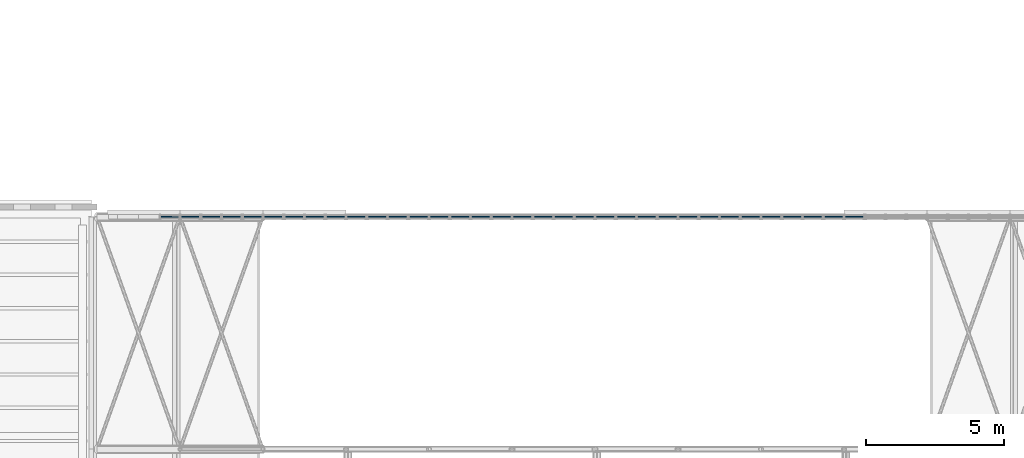
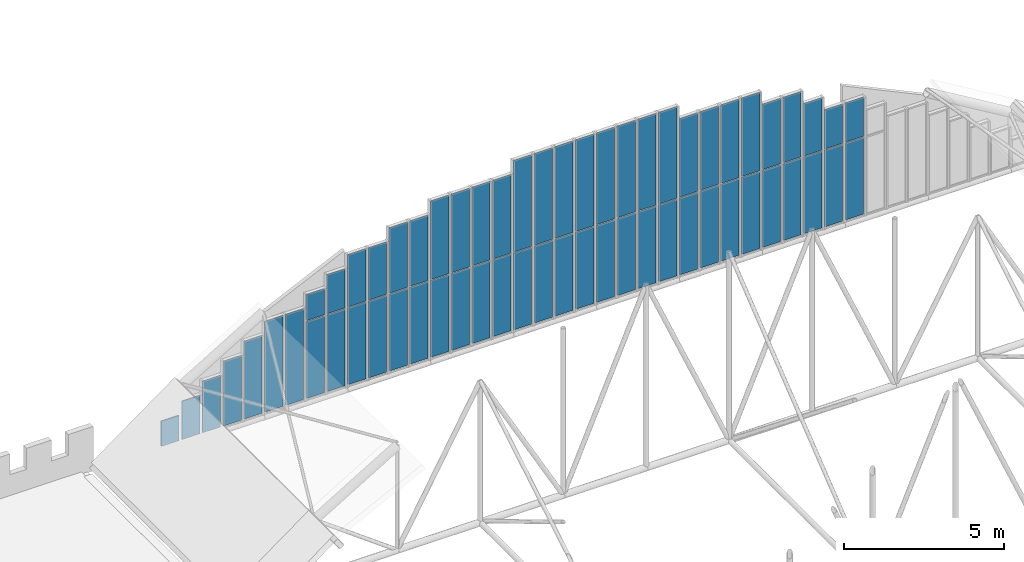
# One storey, part 99 of 153: 61 plates, 34 elements without a shape of their own.
"""IFC4 building model written with IfcOpenShell, lengths in metres."""

from ifc_helpers import new_model, si_unit, direction, frame, origin, origin_2d, place, context, subcontext, project, spatial, rectangle, extrude, material, layer, layer_set, type_object, element, aggregate, save


model = new_model("IFC4")

# Units and contexts
model_context = context("Model", 3, precision=1e-05, world=origin(), true_north=direction((0.0, 1.0)))
body_context = subcontext(model_context, "Body", "Model", "MODEL_VIEW")
ifc_project = project(units=[si_unit("LENGTHUNIT", "METRE"), si_unit("AREAUNIT", "SQUARE_METRE"), si_unit("VOLUMEUNIT", "CUBIC_METRE"), si_unit("PLANEANGLEUNIT", "RADIAN"), si_unit("MASSUNIT", "GRAM", prefix="KILO")], contexts=[model_context])

# Site, building, storey
site_placement = place(None, origin())
site = spatial("IfcSite", under=ifc_project, at=site_placement, CompositionType="ELEMENT")
building_placement = place(site_placement, origin())
building = spatial("IfcBuilding", under=site, at=building_placement, Name="Baradari Gate Terminus", CompositionType="ELEMENT")
storey_placement = place(building_placement, frame((0.0, 0.0, 11.699951171875)))
storey = spatial("IfcBuildingStorey", under=building, at=storey_placement, Name="L02", CompositionType="ELEMENT", Elevation=11.699951171875)

# Curtain wall, plate
ifc_material_1 = material(Name="Aluminium 6063-T6", Category="aluminium")
curtain_wall_type = type_object("IfcCurtainWallType", Name="Curtain wall CW-60 hall gable glazing", PredefinedType="NOTDEFINED", material=ifc_material_1)
curtain_wall_1_placement = place(storey_placement, origin())
curtain_wall_1 = element("IfcCurtainWall", 1, at=curtain_wall_1_placement, inside=storey, type_object=curtain_wall_type, Name="Hall gable glazing N4", PredefinedType="NOTDEFINED")
ifc_material_2 = material(Name="Insulating glass unit", Category="glass")
ifc_layer = layer(ifc_material_2, 0.0439453125)
ifc_layer_set = layer_set([ifc_layer], Name="Insulating glass unit")
plate_type = type_object("IfcPlateType", Name="Curtain wall glazing unit CP-60 44", PredefinedType="CURTAIN_PANEL", material=ifc_layer_set)
plate_1_placement = place(storey_placement, frame((137.625, 107.39990234375, 0.28466796875), z_axis=(0.0, 0.0, 1.0), x_axis=(1.0, 0.0, 0.0)))
plate_1 = element("IfcPlate", 2, at=plate_1_placement, type_object=plate_type, Name="CW-60 panel 1.1", PredefinedType="CURTAIN_PANEL", context=body_context, shape_type="SweptSolid", body=[
    extrude(rectangle(XDim=0.64990234375, YDim=0.0439453125, at=origin_2d()), origin(), (0.0, 0.0, 1.0), 0.965576171875),
])
aggregate(curtain_wall_1, [plate_1])

curtain_wall_2_placement = place(storey_placement, origin())
curtain_wall_2 = element("IfcCurtainWall", 3, at=curtain_wall_2_placement, inside=storey, type_object=curtain_wall_type, Name="Hall gable glazing N5", PredefinedType="NOTDEFINED")
plate_2_placement = place(storey_placement, frame((138.375, 107.39990234375, 0.28466796875), z_axis=(0.0, 0.0, 1.0), x_axis=(1.0, 0.0, 0.0)))
plate_2 = element("IfcPlate", 4, at=plate_2_placement, type_object=plate_type, Name="CW-60 panel 1.1", PredefinedType="CURTAIN_PANEL", context=body_context, shape_type="SweptSolid", body=[
    extrude(rectangle(XDim=0.64990234375, YDim=0.0439453125, at=origin_2d()), origin(), (0.0, 0.0, 1.0), 1.465576171875),
])
aggregate(curtain_wall_2, [plate_2])

curtain_wall_3_placement = place(storey_placement, origin())
curtain_wall_3 = element("IfcCurtainWall", 5, at=curtain_wall_3_placement, inside=storey, type_object=curtain_wall_type, Name="Hall gable glazing N6", PredefinedType="NOTDEFINED")
plate_3_placement = place(storey_placement, frame((139.125, 107.39990234375, 0.28466796875), z_axis=(0.0, 0.0, 1.0), x_axis=(1.0, 0.0, 0.0)))
plate_3 = element("IfcPlate", 6, at=plate_3_placement, type_object=plate_type, Name="CW-60 panel 1.1", PredefinedType="CURTAIN_PANEL", context=body_context, shape_type="SweptSolid", body=[
    extrude(rectangle(XDim=0.64990234375, YDim=0.0439453125, at=origin_2d()), origin(), (0.0, 0.0, 1.0), 1.965576171875),
])
aggregate(curtain_wall_3, [plate_3])

curtain_wall_4_placement = place(storey_placement, origin())
curtain_wall_4 = element("IfcCurtainWall", 7, at=curtain_wall_4_placement, inside=storey, type_object=curtain_wall_type, Name="Hall gable glazing N7", PredefinedType="NOTDEFINED")
plate_4_placement = place(storey_placement, frame((139.875, 107.39990234375, 0.28466796875), z_axis=(0.0, 0.0, 1.0), x_axis=(1.0, 0.0, 0.0)))
plate_4 = element("IfcPlate", 8, at=plate_4_placement, type_object=plate_type, Name="CW-60 panel 1.1", PredefinedType="CURTAIN_PANEL", context=body_context, shape_type="SweptSolid", body=[
    extrude(rectangle(XDim=0.64990234375, YDim=0.0439453125, at=origin_2d()), origin(), (0.0, 0.0, 1.0), 2.465576171875),
])
aggregate(curtain_wall_4, [plate_4])

curtain_wall_5_placement = place(storey_placement, origin())
curtain_wall_5 = element("IfcCurtainWall", 9, at=curtain_wall_5_placement, inside=storey, type_object=curtain_wall_type, Name="Hall gable glazing N8", PredefinedType="NOTDEFINED")
plate_5_placement = place(storey_placement, frame((140.625, 107.39990234375, 0.28466796875), z_axis=(0.0, 0.0, 1.0), x_axis=(1.0, 0.0, 0.0)))
plate_5 = element("IfcPlate", 10, at=plate_5_placement, type_object=plate_type, Name="CW-60 panel 1.1", PredefinedType="CURTAIN_PANEL", context=body_context, shape_type="SweptSolid", body=[
    extrude(rectangle(XDim=0.64990234375, YDim=0.0439453125, at=origin_2d()), origin(), (0.0, 0.0, 1.0), 2.965576171875),
])
aggregate(curtain_wall_5, [plate_5])

curtain_wall_6_placement = place(storey_placement, origin())
curtain_wall_6 = element("IfcCurtainWall", 11, at=curtain_wall_6_placement, inside=storey, type_object=curtain_wall_type, Name="Hall gable glazing N9", PredefinedType="NOTDEFINED")
plate_6_placement = place(storey_placement, frame((141.375, 107.39990234375, 0.28466796875), z_axis=(0.0, 0.0, 1.0), x_axis=(1.0, 0.0, 0.0)))
plate_6 = element("IfcPlate", 12, at=plate_6_placement, type_object=plate_type, Name="CW-60 panel 1.1", PredefinedType="CURTAIN_PANEL", context=body_context, shape_type="SweptSolid", body=[
    extrude(rectangle(XDim=0.64990234375, YDim=0.0439453125, at=origin_2d()), origin(), (0.0, 0.0, 1.0), 3.465576171875),
])
aggregate(curtain_wall_6, [plate_6])

curtain_wall_7_placement = place(storey_placement, origin())
curtain_wall_7 = element("IfcCurtainWall", 13, at=curtain_wall_7_placement, inside=storey, type_object=curtain_wall_type, Name="Hall gable glazing N10", PredefinedType="NOTDEFINED")
plate_7_placement = place(storey_placement, frame((142.125, 107.39990234375, 0.28466796875), z_axis=(0.0, 0.0, 1.0), x_axis=(1.0, 0.0, 0.0)))
plate_7 = element("IfcPlate", 14, at=plate_7_placement, type_object=plate_type, Name="CW-60 panel 1.1", PredefinedType="CURTAIN_PANEL", context=body_context, shape_type="SweptSolid", body=[
    extrude(rectangle(XDim=0.64990234375, YDim=0.0439453125, at=origin_2d()), origin(), (0.0, 0.0, 1.0), 3.465576171875),
])
aggregate(curtain_wall_7, [plate_7])

# Curtain wall, plates
curtain_wall_8_placement = place(storey_placement, origin())
curtain_wall_8 = element("IfcCurtainWall", 15, at=curtain_wall_8_placement, inside=storey, type_object=curtain_wall_type, Name="Hall gable glazing N11", PredefinedType="NOTDEFINED")
plate_8_placement = place(storey_placement, frame((142.875, 107.39990234375, 0.28466796875), z_axis=(0.0, 0.0, 1.0), x_axis=(1.0, 0.0, 0.0)))
plate_8 = element("IfcPlate", 16, at=plate_8_placement, type_object=plate_type, Name="CW-60 panel 1.1", PredefinedType="CURTAIN_PANEL", context=body_context, shape_type="SweptSolid", body=[
    extrude(rectangle(XDim=0.64990234375, YDim=0.0439453125, at=origin_2d()), origin(), (0.0, 0.0, 1.0), 2.925048828125),
])
plate_9_placement = place(storey_placement, frame((142.875, 107.39990234375, 3.259765625), z_axis=(0.0, 0.0, 1.0), x_axis=(1.0, 0.0, 0.0)))
plate_9 = element("IfcPlate", 17, at=plate_9_placement, type_object=plate_type, Name="CW-60 panel 1.2", PredefinedType="CURTAIN_PANEL", context=body_context, shape_type="SweptSolid", body=[
    extrude(rectangle(XDim=0.64990234375, YDim=0.0439453125, at=origin_2d()), origin(), (0.0, 0.0, 1.0), 0.990478515625),
])
aggregate(curtain_wall_8, [plate_8, plate_9])

curtain_wall_9_placement = place(storey_placement, origin())
curtain_wall_9 = element("IfcCurtainWall", 18, at=curtain_wall_9_placement, inside=storey, type_object=curtain_wall_type, Name="Hall gable glazing N12", PredefinedType="NOTDEFINED")
plate_10_placement = place(storey_placement, frame((143.625, 107.39990234375, 0.28466796875), z_axis=(0.0, 0.0, 1.0), x_axis=(1.0, 0.0, 0.0)))
plate_10 = element("IfcPlate", 19, at=plate_10_placement, type_object=plate_type, Name="CW-60 panel 1.1", PredefinedType="CURTAIN_PANEL", context=body_context, shape_type="SweptSolid", body=[
    extrude(rectangle(XDim=0.64990234375, YDim=0.0439453125, at=origin_2d()), origin(), (0.0, 0.0, 1.0), 2.925048828125),
])
plate_11_placement = place(storey_placement, frame((143.625, 107.39990234375, 3.259765625), z_axis=(0.0, 0.0, 1.0), x_axis=(1.0, 0.0, 0.0)))
plate_11 = element("IfcPlate", 20, at=plate_11_placement, type_object=plate_type, Name="CW-60 panel 1.2", PredefinedType="CURTAIN_PANEL", context=body_context, shape_type="SweptSolid", body=[
    extrude(rectangle(XDim=0.64990234375, YDim=0.0439453125, at=origin_2d()), origin(), (0.0, 0.0, 1.0), 1.490478515625),
])
aggregate(curtain_wall_9, [plate_10, plate_11])

curtain_wall_10_placement = place(storey_placement, origin())
curtain_wall_10 = element("IfcCurtainWall", 21, at=curtain_wall_10_placement, inside=storey, type_object=curtain_wall_type, Name="Hall gable glazing N13", PredefinedType="NOTDEFINED")
plate_12_placement = place(storey_placement, frame((144.375, 107.39990234375, 0.28466796875), z_axis=(0.0, 0.0, 1.0), x_axis=(1.0, 0.0, 0.0)))
plate_12 = element("IfcPlate", 22, at=plate_12_placement, type_object=plate_type, Name="CW-60 panel 1.1", PredefinedType="CURTAIN_PANEL", context=body_context, shape_type="SweptSolid", body=[
    extrude(rectangle(XDim=0.64990234375, YDim=0.0439453125, at=origin_2d()), origin(), (0.0, 0.0, 1.0), 2.925048828125),
])
plate_13_placement = place(storey_placement, frame((144.375, 107.39990234375, 3.259765625), z_axis=(0.0, 0.0, 1.0), x_axis=(1.0, 0.0, 0.0)))
plate_13 = element("IfcPlate", 23, at=plate_13_placement, type_object=plate_type, Name="CW-60 panel 1.2", PredefinedType="CURTAIN_PANEL", context=body_context, shape_type="SweptSolid", body=[
    extrude(rectangle(XDim=0.64990234375, YDim=0.0439453125, at=origin_2d()), origin(), (0.0, 0.0, 1.0), 1.990478515625),
])
aggregate(curtain_wall_10, [plate_12, plate_13])

curtain_wall_11_placement = place(storey_placement, origin())
curtain_wall_11 = element("IfcCurtainWall", 24, at=curtain_wall_11_placement, inside=storey, type_object=curtain_wall_type, Name="Hall gable glazing N14", PredefinedType="NOTDEFINED")
plate_14_placement = place(storey_placement, frame((145.125, 107.39990234375, 0.28466796875), z_axis=(0.0, 0.0, 1.0), x_axis=(1.0, 0.0, 0.0)))
plate_14 = element("IfcPlate", 25, at=plate_14_placement, type_object=plate_type, Name="CW-60 panel 1.1", PredefinedType="CURTAIN_PANEL", context=body_context, shape_type="SweptSolid", body=[
    extrude(rectangle(XDim=0.64990234375, YDim=0.0439453125, at=origin_2d()), origin(), (0.0, 0.0, 1.0), 2.925048828125),
])
plate_15_placement = place(storey_placement, frame((145.125, 107.39990234375, 3.259765625), z_axis=(0.0, 0.0, 1.0), x_axis=(1.0, 0.0, 0.0)))
plate_15 = element("IfcPlate", 26, at=plate_15_placement, type_object=plate_type, Name="CW-60 panel 1.2", PredefinedType="CURTAIN_PANEL", context=body_context, shape_type="SweptSolid", body=[
    extrude(rectangle(XDim=0.64990234375, YDim=0.0439453125, at=origin_2d()), origin(), (0.0, 0.0, 1.0), 1.990478515625),
])
aggregate(curtain_wall_11, [plate_14, plate_15])

curtain_wall_12_placement = place(storey_placement, origin())
curtain_wall_12 = element("IfcCurtainWall", 27, at=curtain_wall_12_placement, inside=storey, type_object=curtain_wall_type, Name="Hall gable glazing N15", PredefinedType="NOTDEFINED")
plate_16_placement = place(storey_placement, frame((145.875, 107.39990234375, 0.28466796875), z_axis=(0.0, 0.0, 1.0), x_axis=(1.0, 0.0, 0.0)))
plate_16 = element("IfcPlate", 28, at=plate_16_placement, type_object=plate_type, Name="CW-60 panel 1.1", PredefinedType="CURTAIN_PANEL", context=body_context, shape_type="SweptSolid", body=[
    extrude(rectangle(XDim=0.64990234375, YDim=0.0439453125, at=origin_2d()), origin(), (0.0, 0.0, 1.0), 2.925048828125),
])
plate_17_placement = place(storey_placement, frame((145.875, 107.39990234375, 3.259765625), z_axis=(0.0, 0.0, 1.0), x_axis=(1.0, 0.0, 0.0)))
plate_17 = element("IfcPlate", 29, at=plate_17_placement, type_object=plate_type, Name="CW-60 panel 1.2", PredefinedType="CURTAIN_PANEL", context=body_context, shape_type="SweptSolid", body=[
    extrude(rectangle(XDim=0.64990234375, YDim=0.0439453125, at=origin_2d()), origin(), (0.0, 0.0, 1.0), 2.490478515625),
])
aggregate(curtain_wall_12, [plate_16, plate_17])

curtain_wall_13_placement = place(storey_placement, origin())
curtain_wall_13 = element("IfcCurtainWall", 30, at=curtain_wall_13_placement, inside=storey, type_object=curtain_wall_type, Name="Hall gable glazing N16", PredefinedType="NOTDEFINED")
plate_18_placement = place(storey_placement, frame((146.625, 107.39990234375, 0.28466796875), z_axis=(0.0, 0.0, 1.0), x_axis=(1.0, 0.0, 0.0)))
plate_18 = element("IfcPlate", 31, at=plate_18_placement, type_object=plate_type, Name="CW-60 panel 1.1", PredefinedType="CURTAIN_PANEL", context=body_context, shape_type="SweptSolid", body=[
    extrude(rectangle(XDim=0.64990234375, YDim=0.0439453125, at=origin_2d()), origin(), (0.0, 0.0, 1.0), 2.925048828125),
])
plate_19_placement = place(storey_placement, frame((146.625, 107.39990234375, 3.259765625), z_axis=(0.0, 0.0, 1.0), x_axis=(1.0, 0.0, 0.0)))
plate_19 = element("IfcPlate", 32, at=plate_19_placement, type_object=plate_type, Name="CW-60 panel 1.2", PredefinedType="CURTAIN_PANEL", context=body_context, shape_type="SweptSolid", body=[
    extrude(rectangle(XDim=0.64990234375, YDim=0.0439453125, at=origin_2d()), origin(), (0.0, 0.0, 1.0), 2.490478515625),
])
aggregate(curtain_wall_13, [plate_18, plate_19])

curtain_wall_14_placement = place(storey_placement, origin())
curtain_wall_14 = element("IfcCurtainWall", 33, at=curtain_wall_14_placement, inside=storey, type_object=curtain_wall_type, Name="Hall gable glazing N17", PredefinedType="NOTDEFINED")
plate_20_placement = place(storey_placement, frame((147.375, 107.39990234375, 0.28466796875), z_axis=(0.0, 0.0, 1.0), x_axis=(1.0, 0.0, 0.0)))
plate_20 = element("IfcPlate", 34, at=plate_20_placement, type_object=plate_type, Name="CW-60 panel 1.1", PredefinedType="CURTAIN_PANEL", context=body_context, shape_type="SweptSolid", body=[
    extrude(rectangle(XDim=0.64990234375, YDim=0.0439453125, at=origin_2d()), origin(), (0.0, 0.0, 1.0), 2.925048828125),
])
plate_21_placement = place(storey_placement, frame((147.375, 107.39990234375, 3.259765625), z_axis=(0.0, 0.0, 1.0), x_axis=(1.0, 0.0, 0.0)))
plate_21 = element("IfcPlate", 35, at=plate_21_placement, type_object=plate_type, Name="CW-60 panel 1.2", PredefinedType="CURTAIN_PANEL", context=body_context, shape_type="SweptSolid", body=[
    extrude(rectangle(XDim=0.64990234375, YDim=0.0439453125, at=origin_2d()), origin(), (0.0, 0.0, 1.0), 2.990478515625),
])
aggregate(curtain_wall_14, [plate_20, plate_21])

curtain_wall_15_placement = place(storey_placement, origin())
curtain_wall_15 = element("IfcCurtainWall", 36, at=curtain_wall_15_placement, inside=storey, type_object=curtain_wall_type, Name="Hall gable glazing N18", PredefinedType="NOTDEFINED")
plate_22_placement = place(storey_placement, frame((148.125, 107.39990234375, 0.28466796875), z_axis=(0.0, 0.0, 1.0), x_axis=(1.0, 0.0, 0.0)))
plate_22 = element("IfcPlate", 37, at=plate_22_placement, type_object=plate_type, Name="CW-60 panel 1.1", PredefinedType="CURTAIN_PANEL", context=body_context, shape_type="SweptSolid", body=[
    extrude(rectangle(XDim=0.64990234375, YDim=0.0439453125, at=origin_2d()), origin(), (0.0, 0.0, 1.0), 2.925048828125),
])
plate_23_placement = place(storey_placement, frame((148.125, 107.39990234375, 3.259765625), z_axis=(0.0, 0.0, 1.0), x_axis=(1.0, 0.0, 0.0)))
plate_23 = element("IfcPlate", 38, at=plate_23_placement, type_object=plate_type, Name="CW-60 panel 1.2", PredefinedType="CURTAIN_PANEL", context=body_context, shape_type="SweptSolid", body=[
    extrude(rectangle(XDim=0.64990234375, YDim=0.0439453125, at=origin_2d()), origin(), (0.0, 0.0, 1.0), 2.990478515625),
])
aggregate(curtain_wall_15, [plate_22, plate_23])

curtain_wall_16_placement = place(storey_placement, origin())
curtain_wall_16 = element("IfcCurtainWall", 39, at=curtain_wall_16_placement, inside=storey, type_object=curtain_wall_type, Name="Hall gable glazing N19", PredefinedType="NOTDEFINED")
plate_24_placement = place(storey_placement, frame((148.875, 107.39990234375, 0.28466796875), z_axis=(0.0, 0.0, 1.0), x_axis=(1.0, 0.0, 0.0)))
plate_24 = element("IfcPlate", 40, at=plate_24_placement, type_object=plate_type, Name="CW-60 panel 1.1", PredefinedType="CURTAIN_PANEL", context=body_context, shape_type="SweptSolid", body=[
    extrude(rectangle(XDim=0.64990234375, YDim=0.0439453125, at=origin_2d()), origin(), (0.0, 0.0, 1.0), 2.925048828125),
])
plate_25_placement = place(storey_placement, frame((148.875, 107.39990234375, 3.259765625), z_axis=(0.0, 0.0, 1.0), x_axis=(1.0, 0.0, 0.0)))
plate_25 = element("IfcPlate", 41, at=plate_25_placement, type_object=plate_type, Name="CW-60 panel 1.2", PredefinedType="CURTAIN_PANEL", context=body_context, shape_type="SweptSolid", body=[
    extrude(rectangle(XDim=0.64990234375, YDim=0.0439453125, at=origin_2d()), origin(), (0.0, 0.0, 1.0), 2.990478515625),
])
aggregate(curtain_wall_16, [plate_24, plate_25])

curtain_wall_17_placement = place(storey_placement, origin())
curtain_wall_17 = element("IfcCurtainWall", 42, at=curtain_wall_17_placement, inside=storey, type_object=curtain_wall_type, Name="Hall gable glazing N20", PredefinedType="NOTDEFINED")
plate_26_placement = place(storey_placement, frame((149.625, 107.39990234375, 0.28466796875), z_axis=(0.0, 0.0, 1.0), x_axis=(1.0, 0.0, 0.0)))
plate_26 = element("IfcPlate", 43, at=plate_26_placement, type_object=plate_type, Name="CW-60 panel 1.1", PredefinedType="CURTAIN_PANEL", context=body_context, shape_type="SweptSolid", body=[
    extrude(rectangle(XDim=0.64990234375, YDim=0.0439453125, at=origin_2d()), origin(), (0.0, 0.0, 1.0), 2.925048828125),
])
plate_27_placement = place(storey_placement, frame((149.625, 107.39990234375, 3.259765625), z_axis=(0.0, 0.0, 1.0), x_axis=(1.0, 0.0, 0.0)))
plate_27 = element("IfcPlate", 44, at=plate_27_placement, type_object=plate_type, Name="CW-60 panel 1.2", PredefinedType="CURTAIN_PANEL", context=body_context, shape_type="SweptSolid", body=[
    extrude(rectangle(XDim=0.64990234375, YDim=0.0439453125, at=origin_2d()), origin(), (0.0, 0.0, 1.0), 2.990478515625),
])
aggregate(curtain_wall_17, [plate_26, plate_27])

curtain_wall_18_placement = place(storey_placement, origin())
curtain_wall_18 = element("IfcCurtainWall", 45, at=curtain_wall_18_placement, inside=storey, type_object=curtain_wall_type, Name="Hall gable glazing N21", PredefinedType="NOTDEFINED")
plate_28_placement = place(storey_placement, frame((150.375, 107.39990234375, 0.28466796875), z_axis=(0.0, 0.0, 1.0), x_axis=(1.0, 0.0, 0.0)))
plate_28 = element("IfcPlate", 46, at=plate_28_placement, type_object=plate_type, Name="CW-60 panel 1.1", PredefinedType="CURTAIN_PANEL", context=body_context, shape_type="SweptSolid", body=[
    extrude(rectangle(XDim=0.64990234375, YDim=0.0439453125, at=origin_2d()), origin(), (0.0, 0.0, 1.0), 2.925048828125),
])
plate_29_placement = place(storey_placement, frame((150.375, 107.39990234375, 3.259765625), z_axis=(0.0, 0.0, 1.0), x_axis=(1.0, 0.0, 0.0)))
plate_29 = element("IfcPlate", 47, at=plate_29_placement, type_object=plate_type, Name="CW-60 panel 1.2", PredefinedType="CURTAIN_PANEL", context=body_context, shape_type="SweptSolid", body=[
    extrude(rectangle(XDim=0.64990234375, YDim=0.0439453125, at=origin_2d()), origin(), (0.0, 0.0, 1.0), 3.490478515625),
])
aggregate(curtain_wall_18, [plate_28, plate_29])

curtain_wall_19_placement = place(storey_placement, origin())
curtain_wall_19 = element("IfcCurtainWall", 48, at=curtain_wall_19_placement, inside=storey, type_object=curtain_wall_type, Name="Hall gable glazing N22", PredefinedType="NOTDEFINED")
plate_30_placement = place(storey_placement, frame((151.125, 107.39990234375, 0.28466796875), z_axis=(0.0, 0.0, 1.0), x_axis=(1.0, 0.0, 0.0)))
plate_30 = element("IfcPlate", 49, at=plate_30_placement, type_object=plate_type, Name="CW-60 panel 1.1", PredefinedType="CURTAIN_PANEL", context=body_context, shape_type="SweptSolid", body=[
    extrude(rectangle(XDim=0.64990234375, YDim=0.0439453125, at=origin_2d()), origin(), (0.0, 0.0, 1.0), 2.925048828125),
])
plate_31_placement = place(storey_placement, frame((151.125, 107.39990234375, 3.259765625), z_axis=(0.0, 0.0, 1.0), x_axis=(1.0, 0.0, 0.0)))
plate_31 = element("IfcPlate", 50, at=plate_31_placement, type_object=plate_type, Name="CW-60 panel 1.2", PredefinedType="CURTAIN_PANEL", context=body_context, shape_type="SweptSolid", body=[
    extrude(rectangle(XDim=0.64990234375, YDim=0.0439453125, at=origin_2d()), origin(), (0.0, 0.0, 1.0), 3.490478515625),
])
aggregate(curtain_wall_19, [plate_30, plate_31])

curtain_wall_20_placement = place(storey_placement, origin())
curtain_wall_20 = element("IfcCurtainWall", 51, at=curtain_wall_20_placement, inside=storey, type_object=curtain_wall_type, Name="Hall gable glazing N23", PredefinedType="NOTDEFINED")
plate_32_placement = place(storey_placement, frame((151.875, 107.39990234375, 0.28466796875), z_axis=(0.0, 0.0, 1.0), x_axis=(1.0, 0.0, 0.0)))
plate_32 = element("IfcPlate", 52, at=plate_32_placement, type_object=plate_type, Name="CW-60 panel 1.1", PredefinedType="CURTAIN_PANEL", context=body_context, shape_type="SweptSolid", body=[
    extrude(rectangle(XDim=0.64990234375, YDim=0.0439453125, at=origin_2d()), origin(), (0.0, 0.0, 1.0), 2.925048828125),
])
plate_33_placement = place(storey_placement, frame((151.875, 107.39990234375, 3.259765625), z_axis=(0.0, 0.0, 1.0), x_axis=(1.0, 0.0, 0.0)))
plate_33 = element("IfcPlate", 53, at=plate_33_placement, type_object=plate_type, Name="CW-60 panel 1.2", PredefinedType="CURTAIN_PANEL", context=body_context, shape_type="SweptSolid", body=[
    extrude(rectangle(XDim=0.64990234375, YDim=0.0439453125, at=origin_2d()), origin(), (0.0, 0.0, 1.0), 3.490478515625),
])
aggregate(curtain_wall_20, [plate_32, plate_33])

curtain_wall_21_placement = place(storey_placement, origin())
curtain_wall_21 = element("IfcCurtainWall", 54, at=curtain_wall_21_placement, inside=storey, type_object=curtain_wall_type, Name="Hall gable glazing N24", PredefinedType="NOTDEFINED")
plate_34_placement = place(storey_placement, frame((152.625, 107.39990234375, 0.28466796875), z_axis=(0.0, 0.0, 1.0), x_axis=(1.0, 0.0, 0.0)))
plate_34 = element("IfcPlate", 55, at=plate_34_placement, type_object=plate_type, Name="CW-60 panel 1.1", PredefinedType="CURTAIN_PANEL", context=body_context, shape_type="SweptSolid", body=[
    extrude(rectangle(XDim=0.64990234375, YDim=0.0439453125, at=origin_2d()), origin(), (0.0, 0.0, 1.0), 2.925048828125),
])
plate_35_placement = place(storey_placement, frame((152.625, 107.39990234375, 3.259765625), z_axis=(0.0, 0.0, 1.0), x_axis=(1.0, 0.0, 0.0)))
plate_35 = element("IfcPlate", 56, at=plate_35_placement, type_object=plate_type, Name="CW-60 panel 1.2", PredefinedType="CURTAIN_PANEL", context=body_context, shape_type="SweptSolid", body=[
    extrude(rectangle(XDim=0.64990234375, YDim=0.0439453125, at=origin_2d()), origin(), (0.0, 0.0, 1.0), 3.490478515625),
])
aggregate(curtain_wall_21, [plate_34, plate_35])

curtain_wall_22_placement = place(storey_placement, origin())
curtain_wall_22 = element("IfcCurtainWall", 57, at=curtain_wall_22_placement, inside=storey, type_object=curtain_wall_type, Name="Hall gable glazing N25", PredefinedType="NOTDEFINED")
plate_36_placement = place(storey_placement, frame((153.375, 107.39990234375, 0.28466796875), z_axis=(0.0, 0.0, 1.0), x_axis=(1.0, 0.0, 0.0)))
plate_36 = element("IfcPlate", 58, at=plate_36_placement, type_object=plate_type, Name="CW-60 panel 1.1", PredefinedType="CURTAIN_PANEL", context=body_context, shape_type="SweptSolid", body=[
    extrude(rectangle(XDim=0.64990234375, YDim=0.0439453125, at=origin_2d()), origin(), (0.0, 0.0, 1.0), 2.925048828125),
])
plate_37_placement = place(storey_placement, frame((153.375, 107.39990234375, 3.259765625), z_axis=(0.0, 0.0, 1.0), x_axis=(1.0, 0.0, 0.0)))
plate_37 = element("IfcPlate", 59, at=plate_37_placement, type_object=plate_type, Name="CW-60 panel 1.2", PredefinedType="CURTAIN_PANEL", context=body_context, shape_type="SweptSolid", body=[
    extrude(rectangle(XDim=0.64990234375, YDim=0.0439453125, at=origin_2d()), origin(), (0.0, 0.0, 1.0), 3.490478515625),
])
aggregate(curtain_wall_22, [plate_36, plate_37])

curtain_wall_23_placement = place(storey_placement, origin())
curtain_wall_23 = element("IfcCurtainWall", 60, at=curtain_wall_23_placement, inside=storey, type_object=curtain_wall_type, Name="Hall gable glazing N26", PredefinedType="NOTDEFINED")
plate_38_placement = place(storey_placement, frame((154.125, 107.39990234375, 0.28466796875), z_axis=(0.0, 0.0, 1.0), x_axis=(1.0, 0.0, 0.0)))
plate_38 = element("IfcPlate", 61, at=plate_38_placement, type_object=plate_type, Name="CW-60 panel 1.1", PredefinedType="CURTAIN_PANEL", context=body_context, shape_type="SweptSolid", body=[
    extrude(rectangle(XDim=0.64990234375, YDim=0.0439453125, at=origin_2d()), origin(), (0.0, 0.0, 1.0), 2.925048828125),
])
plate_39_placement = place(storey_placement, frame((154.125, 107.39990234375, 3.259765625), z_axis=(0.0, 0.0, 1.0), x_axis=(1.0, 0.0, 0.0)))
plate_39 = element("IfcPlate", 62, at=plate_39_placement, type_object=plate_type, Name="CW-60 panel 1.2", PredefinedType="CURTAIN_PANEL", context=body_context, shape_type="SweptSolid", body=[
    extrude(rectangle(XDim=0.64990234375, YDim=0.0439453125, at=origin_2d()), origin(), (0.0, 0.0, 1.0), 3.490478515625),
])
aggregate(curtain_wall_23, [plate_38, plate_39])

curtain_wall_24_placement = place(storey_placement, origin())
curtain_wall_24 = element("IfcCurtainWall", 63, at=curtain_wall_24_placement, inside=storey, type_object=curtain_wall_type, Name="Hall gable glazing N27", PredefinedType="NOTDEFINED")
plate_40_placement = place(storey_placement, frame((154.875, 107.39990234375, 0.28466796875), z_axis=(0.0, 0.0, 1.0), x_axis=(1.0, 0.0, 0.0)))
plate_40 = element("IfcPlate", 64, at=plate_40_placement, type_object=plate_type, Name="CW-60 panel 1.1", PredefinedType="CURTAIN_PANEL", context=body_context, shape_type="SweptSolid", body=[
    extrude(rectangle(XDim=0.64990234375, YDim=0.0439453125, at=origin_2d()), origin(), (0.0, 0.0, 1.0), 2.925048828125),
])
plate_41_placement = place(storey_placement, frame((154.875, 107.39990234375, 3.259765625), z_axis=(0.0, 0.0, 1.0), x_axis=(1.0, 0.0, 0.0)))
plate_41 = element("IfcPlate", 65, at=plate_41_placement, type_object=plate_type, Name="CW-60 panel 1.2", PredefinedType="CURTAIN_PANEL", context=body_context, shape_type="SweptSolid", body=[
    extrude(rectangle(XDim=0.64990234375, YDim=0.0439453125, at=origin_2d()), origin(), (0.0, 0.0, 1.0), 3.490478515625),
])
aggregate(curtain_wall_24, [plate_40, plate_41])

curtain_wall_25_placement = place(storey_placement, origin())
curtain_wall_25 = element("IfcCurtainWall", 66, at=curtain_wall_25_placement, inside=storey, type_object=curtain_wall_type, Name="Hall gable glazing N28", PredefinedType="NOTDEFINED")
plate_42_placement = place(storey_placement, frame((155.625, 107.39990234375, 0.28466796875), z_axis=(0.0, 0.0, 1.0), x_axis=(1.0, 0.0, 0.0)))
plate_42 = element("IfcPlate", 67, at=plate_42_placement, type_object=plate_type, Name="CW-60 panel 1.1", PredefinedType="CURTAIN_PANEL", context=body_context, shape_type="SweptSolid", body=[
    extrude(rectangle(XDim=0.64990234375, YDim=0.0439453125, at=origin_2d()), origin(), (0.0, 0.0, 1.0), 2.925048828125),
])
plate_43_placement = place(storey_placement, frame((155.625, 107.39990234375, 3.259765625), z_axis=(0.0, 0.0, 1.0), x_axis=(1.0, 0.0, 0.0)))
plate_43 = element("IfcPlate", 68, at=plate_43_placement, type_object=plate_type, Name="CW-60 panel 1.2", PredefinedType="CURTAIN_PANEL", context=body_context, shape_type="SweptSolid", body=[
    extrude(rectangle(XDim=0.64990234375, YDim=0.0439453125, at=origin_2d()), origin(), (0.0, 0.0, 1.0), 3.490478515625),
])
aggregate(curtain_wall_25, [plate_42, plate_43])

curtain_wall_26_placement = place(storey_placement, origin())
curtain_wall_26 = element("IfcCurtainWall", 69, at=curtain_wall_26_placement, inside=storey, type_object=curtain_wall_type, Name="Hall gable glazing N29", PredefinedType="NOTDEFINED")
plate_44_placement = place(storey_placement, frame((156.375, 107.39990234375, 0.28466796875), z_axis=(0.0, 0.0, 1.0), x_axis=(1.0, 0.0, 0.0)))
plate_44 = element("IfcPlate", 70, at=plate_44_placement, type_object=plate_type, Name="CW-60 panel 1.1", PredefinedType="CURTAIN_PANEL", context=body_context, shape_type="SweptSolid", body=[
    extrude(rectangle(XDim=0.64990234375, YDim=0.0439453125, at=origin_2d()), origin(), (0.0, 0.0, 1.0), 2.925048828125),
])
plate_45_placement = place(storey_placement, frame((156.375, 107.39990234375, 3.259765625), z_axis=(0.0, 0.0, 1.0), x_axis=(1.0, 0.0, 0.0)))
plate_45 = element("IfcPlate", 71, at=plate_45_placement, type_object=plate_type, Name="CW-60 panel 1.2", PredefinedType="CURTAIN_PANEL", context=body_context, shape_type="SweptSolid", body=[
    extrude(rectangle(XDim=0.64990234375, YDim=0.0439453125, at=origin_2d()), origin(), (0.0, 0.0, 1.0), 2.990478515625),
])
aggregate(curtain_wall_26, [plate_44, plate_45])

curtain_wall_27_placement = place(storey_placement, origin())
curtain_wall_27 = element("IfcCurtainWall", 72, at=curtain_wall_27_placement, inside=storey, type_object=curtain_wall_type, Name="Hall gable glazing N30", PredefinedType="NOTDEFINED")
plate_46_placement = place(storey_placement, frame((157.125, 107.39990234375, 0.28466796875), z_axis=(0.0, 0.0, 1.0), x_axis=(1.0, 0.0, 0.0)))
plate_46 = element("IfcPlate", 73, at=plate_46_placement, type_object=plate_type, Name="CW-60 panel 1.1", PredefinedType="CURTAIN_PANEL", context=body_context, shape_type="SweptSolid", body=[
    extrude(rectangle(XDim=0.64990234375, YDim=0.0439453125, at=origin_2d()), origin(), (0.0, 0.0, 1.0), 2.925048828125),
])
plate_47_placement = place(storey_placement, frame((157.125, 107.39990234375, 3.259765625), z_axis=(0.0, 0.0, 1.0), x_axis=(1.0, 0.0, 0.0)))
plate_47 = element("IfcPlate", 74, at=plate_47_placement, type_object=plate_type, Name="CW-60 panel 1.2", PredefinedType="CURTAIN_PANEL", context=body_context, shape_type="SweptSolid", body=[
    extrude(rectangle(XDim=0.64990234375, YDim=0.0439453125, at=origin_2d()), origin(), (0.0, 0.0, 1.0), 2.990478515625),
])
aggregate(curtain_wall_27, [plate_46, plate_47])

curtain_wall_28_placement = place(storey_placement, origin())
curtain_wall_28 = element("IfcCurtainWall", 75, at=curtain_wall_28_placement, inside=storey, type_object=curtain_wall_type, Name="Hall gable glazing N31", PredefinedType="NOTDEFINED")
plate_48_placement = place(storey_placement, frame((157.875, 107.39990234375, 0.28466796875), z_axis=(0.0, 0.0, 1.0), x_axis=(1.0, 0.0, 0.0)))
plate_48 = element("IfcPlate", 76, at=plate_48_placement, type_object=plate_type, Name="CW-60 panel 1.1", PredefinedType="CURTAIN_PANEL", context=body_context, shape_type="SweptSolid", body=[
    extrude(rectangle(XDim=0.64990234375, YDim=0.0439453125, at=origin_2d()), origin(), (0.0, 0.0, 1.0), 2.925048828125),
])
plate_49_placement = place(storey_placement, frame((157.875, 107.39990234375, 3.259765625), z_axis=(0.0, 0.0, 1.0), x_axis=(1.0, 0.0, 0.0)))
plate_49 = element("IfcPlate", 77, at=plate_49_placement, type_object=plate_type, Name="CW-60 panel 1.2", PredefinedType="CURTAIN_PANEL", context=body_context, shape_type="SweptSolid", body=[
    extrude(rectangle(XDim=0.64990234375, YDim=0.0439453125, at=origin_2d()), origin(), (0.0, 0.0, 1.0), 2.990478515625),
])
aggregate(curtain_wall_28, [plate_48, plate_49])

curtain_wall_29_placement = place(storey_placement, origin())
curtain_wall_29 = element("IfcCurtainWall", 78, at=curtain_wall_29_placement, inside=storey, type_object=curtain_wall_type, Name="Hall gable glazing N32", PredefinedType="NOTDEFINED")
plate_50_placement = place(storey_placement, frame((158.625, 107.39990234375, 0.28466796875), z_axis=(0.0, 0.0, 1.0), x_axis=(1.0, 0.0, 0.0)))
plate_50 = element("IfcPlate", 79, at=plate_50_placement, type_object=plate_type, Name="CW-60 panel 1.1", PredefinedType="CURTAIN_PANEL", context=body_context, shape_type="SweptSolid", body=[
    extrude(rectangle(XDim=0.64990234375, YDim=0.0439453125, at=origin_2d()), origin(), (0.0, 0.0, 1.0), 2.925048828125),
])
plate_51_placement = place(storey_placement, frame((158.625, 107.39990234375, 3.259765625), z_axis=(0.0, 0.0, 1.0), x_axis=(1.0, 0.0, 0.0)))
plate_51 = element("IfcPlate", 80, at=plate_51_placement, type_object=plate_type, Name="CW-60 panel 1.2", PredefinedType="CURTAIN_PANEL", context=body_context, shape_type="SweptSolid", body=[
    extrude(rectangle(XDim=0.64990234375, YDim=0.0439453125, at=origin_2d()), origin(), (0.0, 0.0, 1.0), 2.990478515625),
])
aggregate(curtain_wall_29, [plate_50, plate_51])

curtain_wall_30_placement = place(storey_placement, origin())
curtain_wall_30 = element("IfcCurtainWall", 81, at=curtain_wall_30_placement, inside=storey, type_object=curtain_wall_type, Name="Hall gable glazing N33", PredefinedType="NOTDEFINED")
plate_52_placement = place(storey_placement, frame((159.375, 107.39990234375, 0.28466796875), z_axis=(0.0, 0.0, 1.0), x_axis=(1.0, 0.0, 0.0)))
plate_52 = element("IfcPlate", 82, at=plate_52_placement, type_object=plate_type, Name="CW-60 panel 1.1", PredefinedType="CURTAIN_PANEL", context=body_context, shape_type="SweptSolid", body=[
    extrude(rectangle(XDim=0.64990234375, YDim=0.0439453125, at=origin_2d()), origin(), (0.0, 0.0, 1.0), 2.925048828125),
])
plate_53_placement = place(storey_placement, frame((159.375, 107.39990234375, 3.259765625), z_axis=(0.0, 0.0, 1.0), x_axis=(1.0, 0.0, 0.0)))
plate_53 = element("IfcPlate", 83, at=plate_53_placement, type_object=plate_type, Name="CW-60 panel 1.2", PredefinedType="CURTAIN_PANEL", context=body_context, shape_type="SweptSolid", body=[
    extrude(rectangle(XDim=0.64990234375, YDim=0.0439453125, at=origin_2d()), origin(), (0.0, 0.0, 1.0), 2.490478515625),
])
aggregate(curtain_wall_30, [plate_52, plate_53])

curtain_wall_31_placement = place(storey_placement, origin())
curtain_wall_31 = element("IfcCurtainWall", 84, at=curtain_wall_31_placement, inside=storey, type_object=curtain_wall_type, Name="Hall gable glazing N34", PredefinedType="NOTDEFINED")
plate_54_placement = place(storey_placement, frame((160.125, 107.39990234375, 0.28466796875), z_axis=(0.0, 0.0, 1.0), x_axis=(1.0, 0.0, 0.0)))
plate_54 = element("IfcPlate", 85, at=plate_54_placement, type_object=plate_type, Name="CW-60 panel 1.1", PredefinedType="CURTAIN_PANEL", context=body_context, shape_type="SweptSolid", body=[
    extrude(rectangle(XDim=0.64990234375, YDim=0.0439453125, at=origin_2d()), origin(), (0.0, 0.0, 1.0), 2.925048828125),
])
plate_55_placement = place(storey_placement, frame((160.125, 107.39990234375, 3.259765625), z_axis=(0.0, 0.0, 1.0), x_axis=(1.0, 0.0, 0.0)))
plate_55 = element("IfcPlate", 86, at=plate_55_placement, type_object=plate_type, Name="CW-60 panel 1.2", PredefinedType="CURTAIN_PANEL", context=body_context, shape_type="SweptSolid", body=[
    extrude(rectangle(XDim=0.64990234375, YDim=0.0439453125, at=origin_2d()), origin(), (0.0, 0.0, 1.0), 2.490478515625),
])
aggregate(curtain_wall_31, [plate_54, plate_55])

curtain_wall_32_placement = place(storey_placement, origin())
curtain_wall_32 = element("IfcCurtainWall", 87, at=curtain_wall_32_placement, inside=storey, type_object=curtain_wall_type, Name="Hall gable glazing N35", PredefinedType="NOTDEFINED")
plate_56_placement = place(storey_placement, frame((160.875, 107.39990234375, 0.28466796875), z_axis=(0.0, 0.0, 1.0), x_axis=(1.0, 0.0, 0.0)))
plate_56 = element("IfcPlate", 88, at=plate_56_placement, type_object=plate_type, Name="CW-60 panel 1.1", PredefinedType="CURTAIN_PANEL", context=body_context, shape_type="SweptSolid", body=[
    extrude(rectangle(XDim=0.64990234375, YDim=0.0439453125, at=origin_2d()), origin(), (0.0, 0.0, 1.0), 2.925048828125),
])
plate_57_placement = place(storey_placement, frame((160.875, 107.39990234375, 3.259765625), z_axis=(0.0, 0.0, 1.0), x_axis=(1.0, 0.0, 0.0)))
plate_57 = element("IfcPlate", 89, at=plate_57_placement, type_object=plate_type, Name="CW-60 panel 1.2", PredefinedType="CURTAIN_PANEL", context=body_context, shape_type="SweptSolid", body=[
    extrude(rectangle(XDim=0.64990234375, YDim=0.0439453125, at=origin_2d()), origin(), (0.0, 0.0, 1.0), 1.990478515625),
])
aggregate(curtain_wall_32, [plate_56, plate_57])

curtain_wall_33_placement = place(storey_placement, origin())
curtain_wall_33 = element("IfcCurtainWall", 90, at=curtain_wall_33_placement, inside=storey, type_object=curtain_wall_type, Name="Hall gable glazing N36", PredefinedType="NOTDEFINED")
plate_58_placement = place(storey_placement, frame((161.625, 107.39990234375, 0.28466796875), z_axis=(0.0, 0.0, 1.0), x_axis=(1.0, 0.0, 0.0)))
plate_58 = element("IfcPlate", 91, at=plate_58_placement, type_object=plate_type, Name="CW-60 panel 1.1", PredefinedType="CURTAIN_PANEL", context=body_context, shape_type="SweptSolid", body=[
    extrude(rectangle(XDim=0.64990234375, YDim=0.0439453125, at=origin_2d()), origin(), (0.0, 0.0, 1.0), 2.925048828125),
])
plate_59_placement = place(storey_placement, frame((161.625, 107.39990234375, 3.259765625), z_axis=(0.0, 0.0, 1.0), x_axis=(1.0, 0.0, 0.0)))
plate_59 = element("IfcPlate", 92, at=plate_59_placement, type_object=plate_type, Name="CW-60 panel 1.2", PredefinedType="CURTAIN_PANEL", context=body_context, shape_type="SweptSolid", body=[
    extrude(rectangle(XDim=0.64990234375, YDim=0.0439453125, at=origin_2d()), origin(), (0.0, 0.0, 1.0), 1.490478515625),
])
aggregate(curtain_wall_33, [plate_58, plate_59])

curtain_wall_34_placement = place(storey_placement, origin())
curtain_wall_34 = element("IfcCurtainWall", 93, at=curtain_wall_34_placement, inside=storey, type_object=curtain_wall_type, Name="Hall gable glazing N37", PredefinedType="NOTDEFINED")
plate_60_placement = place(storey_placement, frame((162.375, 107.39990234375, 0.28466796875), z_axis=(0.0, 0.0, 1.0), x_axis=(1.0, 0.0, 0.0)))
plate_60 = element("IfcPlate", 94, at=plate_60_placement, type_object=plate_type, Name="CW-60 panel 1.1", PredefinedType="CURTAIN_PANEL", context=body_context, shape_type="SweptSolid", body=[
    extrude(rectangle(XDim=0.64990234375, YDim=0.0439453125, at=origin_2d()), origin(), (0.0, 0.0, 1.0), 2.925048828125),
])
plate_61_placement = place(storey_placement, frame((162.375, 107.39990234375, 3.259765625), z_axis=(0.0, 0.0, 1.0), x_axis=(1.0, 0.0, 0.0)))
plate_61 = element("IfcPlate", 95, at=plate_61_placement, type_object=plate_type, Name="CW-60 panel 1.2", PredefinedType="CURTAIN_PANEL", context=body_context, shape_type="SweptSolid", body=[
    extrude(rectangle(XDim=0.64990234375, YDim=0.0439453125, at=origin_2d()), origin(), (0.0, 0.0, 1.0), 1.490478515625),
])
aggregate(curtain_wall_34, [plate_60, plate_61])

save(model, "model.ifc")
